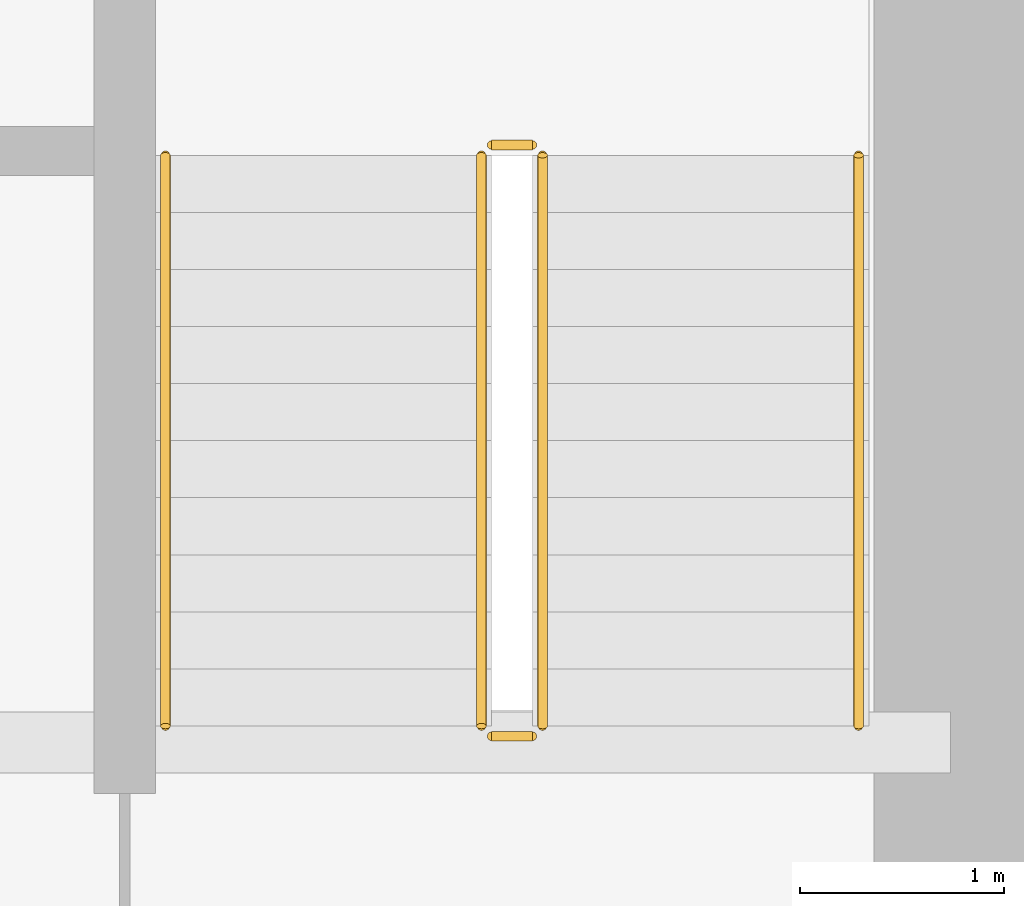
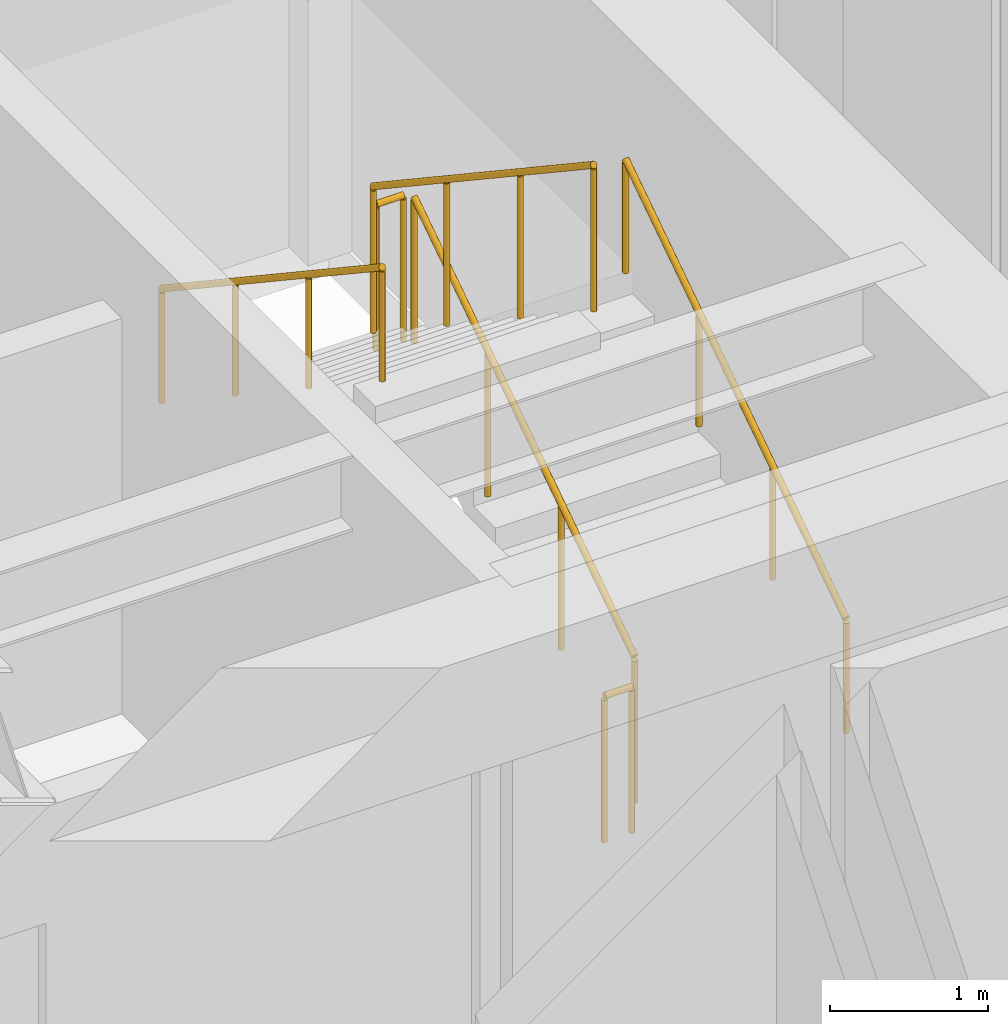
# One storey, part 35 of 35: 6 railings.
"""IFC4 building model written with IfcOpenShell, lengths in metres."""

from ifc_helpers import new_model, si_unit, direction, frame, origin, origin_2d, place, context, subcontext, project, spatial, circle, extrude, source, transform, mapped, material, type_object, type_shapes, element, save


model = new_model("IFC4")

# Units and contexts
model_context = context("Model", 3, precision=1e-05, world=origin(), true_north=direction((0.0, 1.0)))
body_context = subcontext(model_context, "Body", "Model", "MODEL_VIEW")
ifc_project = project(units=[si_unit("LENGTHUNIT", "METRE"), si_unit("AREAUNIT", "SQUARE_METRE"), si_unit("VOLUMEUNIT", "CUBIC_METRE"), si_unit("PLANEANGLEUNIT", "RADIAN"), si_unit("MASSUNIT", "GRAM", prefix="KILO")], contexts=[model_context])

# Site, building, storey
site_placement = place(None, origin())
site = spatial("IfcSite", under=ifc_project, at=site_placement, CompositionType="ELEMENT")
building_placement = place(site_placement, origin())
building = spatial("IfcBuilding", under=site, at=building_placement, Name="Haelvirn Gate Laboratories", CompositionType="ELEMENT")
storey_placement = place(building_placement, frame((0.0, 0.0, 58.0)))
storey = spatial("IfcBuildingStorey", under=building, at=storey_placement, Name="L14", CompositionType="ELEMENT", Elevation=58.0)

# Railings
ifc_material_1 = material(Name="Galvanised steel SM355 & stainless top rail", Category="steel")
railing_type_1 = type_object("IfcRailingType", Name="RL-GUARD-1150", PredefinedType="GUARDRAIL", material=ifc_material_1)
shared_shape_1 = source(origin(), body_context, "Body", "SweptSolid", [
    extrude(circle(Radius=0.02392578125, at=origin_2d()), frame((0.0, 0.0, 1.1259765625), z_axis=(0.0, -0.832452072856, 0.554097055034), x_axis=(1.0, 0.0, 0.0)), (0.0, 0.0, 1.0), 3.363525390625),
    extrude(circle(Radius=0.02099609375, at=origin_2d()), origin(), (0.0, 0.0, 1.0), 1.101806640625),
    extrude(circle(Radius=0.02099609375, at=origin_2d()), frame((0.0, -0.933349609375, 0.621337890625)), (0.0, 0.0, 1.0), 1.101806640625),
    extrude(circle(Radius=0.02099609375, at=origin_2d()), frame((0.0, -1.86669921875, 1.242431640625)), (0.0, 0.0, 1.0), 1.101806640625),
    extrude(circle(Radius=0.02099609375, at=origin_2d()), frame((0.0, -2.800048828125, 1.86376953125)), (0.0, 0.0, 1.0), 1.101806640625),
])
railing_1_placement = place(storey_placement, frame((65.10009765625, 29.5, 2.236328125)))
element("IfcRailing", 1, at=railing_1_placement, inside=storey, type_object=railing_type_1, Name="L14 ST2 stair guard 3", PredefinedType="GUARDRAIL", context=body_context, shape_type="MappedRepresentation", body=[
    mapped(shared_shape_1, transform((0.0, 0.0, 0.0), scale=1.0)),
])
ifc_material_2 = material(Name="Brushed stainless steel 316L", Category="steel")
railing_type_2 = type_object("IfcRailingType", Name="RL-HAND-920", PredefinedType="HANDRAIL", material=ifc_material_2)
shared_shape_2 = source(origin(), body_context, "Body", "SweptSolid", [
    extrude(circle(Radius=0.02392578125, at=origin_2d()), frame((0.0, 0.0, 0.8759765625), z_axis=(0.0, -0.832452072856, 0.554097055034), x_axis=(1.0, 0.0, 0.0)), (0.0, 0.0, 1.0), 3.363525390625),
    extrude(circle(Radius=0.02099609375, at=origin_2d()), origin(), (0.0, 0.0, 1.0), 0.851806640625),
    extrude(circle(Radius=0.02099609375, at=origin_2d()), frame((0.0, -0.933349609375, 0.621337890625)), (0.0, 0.0, 1.0), 0.851806640625),
    extrude(circle(Radius=0.02099609375, at=origin_2d()), frame((0.0, -1.86669921875, 1.242431640625)), (0.0, 0.0, 1.0), 0.851806640625),
    extrude(circle(Radius=0.02099609375, at=origin_2d()), frame((0.0, -2.800048828125, 1.86376953125)), (0.0, 0.0, 1.0), 0.851806640625),
])
railing_2_placement = place(storey_placement, frame((63.550048828125, 29.5, 2.236328125)))
element("IfcRailing", 2, at=railing_2_placement, inside=storey, type_object=railing_type_2, Name="L14 ST2 stair handrail 2", PredefinedType="HANDRAIL", context=body_context, shape_type="MappedRepresentation", body=[
    mapped(shared_shape_2, transform((0.0, 0.0, 0.0), scale=1.0)),
])
shared_shape_3 = source(origin(), body_context, "Body", "SweptSolid", [
    extrude(circle(Radius=0.02392578125, at=origin_2d()), frame((0.0, 0.0, 1.1259765625), z_axis=(0.0, 0.832452072856, 0.554097055034), x_axis=(-1.0, 0.0, 0.0)), (0.0, 0.0, 1.0), 3.363525390625),
    extrude(circle(Radius=0.02099609375, at=origin_2d()), origin(), (0.0, 0.0, 1.0), 1.101806640625),
    extrude(circle(Radius=0.02099609375, at=origin_2d()), frame((0.0, 0.933349609375, 0.621337890625)), (0.0, 0.0, 1.0), 1.101806640625),
    extrude(circle(Radius=0.02099609375, at=origin_2d()), frame((0.0, 1.86669921875, 1.242431640625)), (0.0, 0.0, 1.0), 1.101806640625),
    extrude(circle(Radius=0.02099609375, at=origin_2d()), frame((0.0, 2.800048828125, 1.86376953125)), (0.0, 0.0, 1.0), 1.101806640625),
])
railing_3_placement = place(storey_placement, frame((65.39990234375, 26.699951171875, 0.186279296875)))
element("IfcRailing", 3, at=railing_3_placement, inside=storey, type_object=railing_type_1, Name="L14 ST2 stair guard 1", PredefinedType="GUARDRAIL", context=body_context, shape_type="MappedRepresentation", body=[
    mapped(shared_shape_3, transform((0.0, 0.0, 0.0), scale=1.0)),
])
shared_shape_4 = source(origin(), body_context, "Body", "SweptSolid", [
    extrude(circle(Radius=0.02392578125, at=origin_2d()), frame((0.0, 0.0, 0.8759765625), z_axis=(0.0, 0.832452072856, 0.554097055034), x_axis=(-1.0, 0.0, 0.0)), (0.0, 0.0, 1.0), 3.363525390625),
    extrude(circle(Radius=0.02099609375, at=origin_2d()), origin(), (0.0, 0.0, 1.0), 0.851806640625),
    extrude(circle(Radius=0.02099609375, at=origin_2d()), frame((0.0, 0.933349609375, 0.621337890625)), (0.0, 0.0, 1.0), 0.851806640625),
    extrude(circle(Radius=0.02099609375, at=origin_2d()), frame((0.0, 1.86669921875, 1.242431640625)), (0.0, 0.0, 1.0), 0.851806640625),
    extrude(circle(Radius=0.02099609375, at=origin_2d()), frame((0.0, 2.800048828125, 1.86376953125)), (0.0, 0.0, 1.0), 0.851806640625),
])
type_shapes(railing_type_2, [shared_shape_2, shared_shape_4])
railing_4_placement = place(storey_placement, frame((66.949951171875, 26.699951171875, 0.186279296875)))
element("IfcRailing", 4, at=railing_4_placement, inside=storey, type_object=railing_type_2, Name="L14 ST2 stair handrail 1", PredefinedType="HANDRAIL", context=body_context, shape_type="MappedRepresentation", body=[
    mapped(shared_shape_4, transform((0.0, 0.0, 0.0), scale=1.0)),
])
shared_shape_5 = source(origin(), body_context, "Body", "SweptSolid", [
    extrude(circle(Radius=0.02392578125, at=origin_2d()), frame((0.0, 0.0, 1.1259765625), z_axis=(-1.0, 0.0, 0.0), x_axis=(0.0, -1.0, 0.0)), (0.0, 0.0, 1.0), 0.2001953125),
    extrude(circle(Radius=0.02099609375, at=origin_2d()), origin(), (0.0, 0.0, 1.0), 1.101806640625),
    extrude(circle(Radius=0.02099609375, at=origin_2d()), frame((-0.2001953125, 0.0, 0.0)), (0.0, 0.0, 1.0), 1.101806640625),
])
type_shapes(railing_type_1, [shared_shape_1, shared_shape_3, shared_shape_5])
for number, where, name in (
    (5, (65.35009765625, 29.550048828125, 2.050048828125), "L14 ST2 stair guard 2"),
    (6, (65.35009765625, 26.64990234375, 0.0), "L14 ST2 stair guard 4"),
):
    element("IfcRailing", number, at=place(storey_placement, frame(where)), inside=storey, type_object=railing_type_1, Name=name, PredefinedType="GUARDRAIL", context=body_context, shape_type="MappedRepresentation", body=[
        mapped(shared_shape_5, transform((0.0, 0.0, 0.0), scale=1.0)),
    ])

save(model, "model.ifc")
